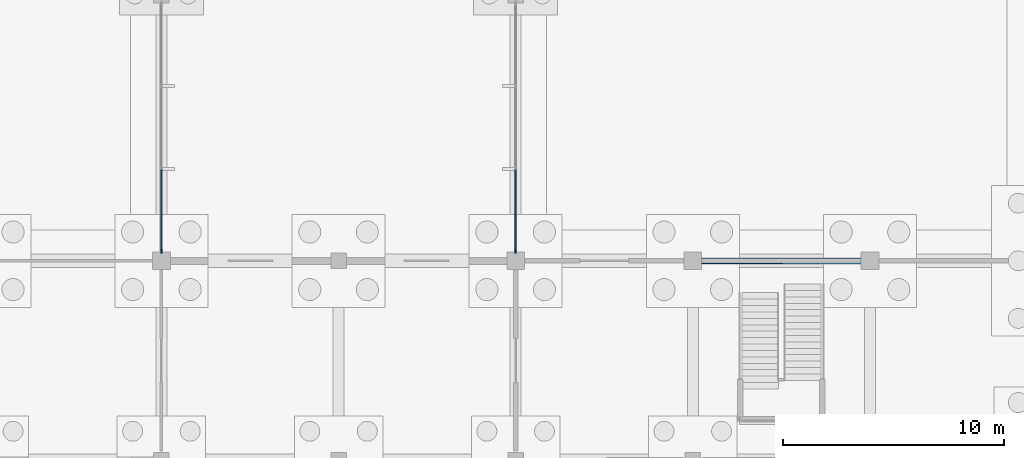
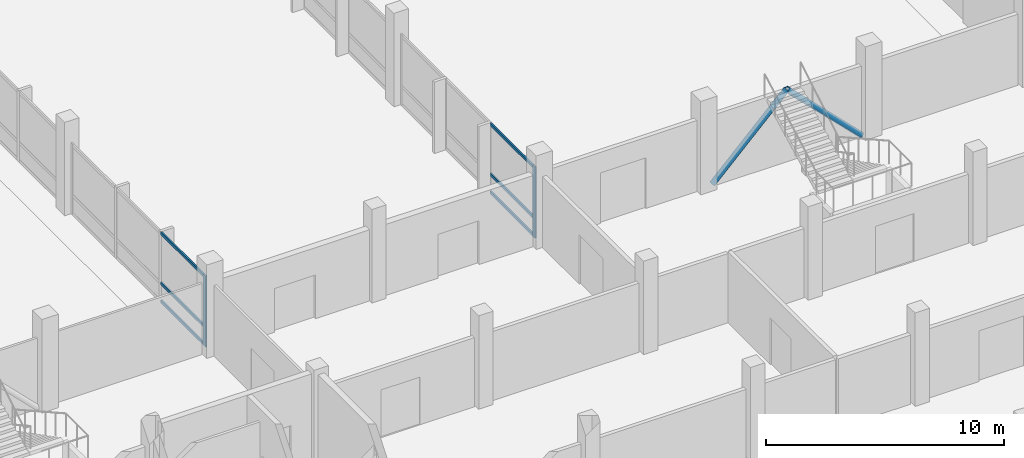
# One storey, part 22 of 72: 10 members, 2 elements without a shape of their own.
"""IFC4 building model written with IfcOpenShell, lengths in metres."""

from ifc_helpers import new_model, si_unit, direction, frame, origin, origin_2d, place, context, subcontext, project, spatial, rectangle, hollow_circle, extrude, material, material_profile, profile_set, type_object, element, aggregate, save


model = new_model("IFC4")

# Units and contexts
model_context = context("Model", 3, precision=1e-05, world=origin(), true_north=direction((0.0, 1.0)))
body_context = subcontext(model_context, "Body", "Model", "MODEL_VIEW")
ifc_project = project(units=[si_unit("LENGTHUNIT", "METRE"), si_unit("AREAUNIT", "SQUARE_METRE"), si_unit("VOLUMEUNIT", "CUBIC_METRE"), si_unit("PLANEANGLEUNIT", "RADIAN"), si_unit("MASSUNIT", "GRAM", prefix="KILO"), si_unit("THERMODYNAMICTEMPERATUREUNIT", "KELVIN"), si_unit("POWERUNIT", "WATT")], contexts=[model_context])

# Site, building, storey
site_placement = place(None, origin())
site = spatial("IfcSite", under=ifc_project, at=site_placement, CompositionType="ELEMENT")
building_placement = place(site_placement, origin())
building = spatial("IfcBuilding", under=site, at=building_placement, Name="Kronsvod Quay Wholesale Market", CompositionType="ELEMENT")
storey_placement = place(building_placement, origin())
storey = spatial("IfcBuildingStorey", under=building, at=storey_placement, Name="L00", CompositionType="ELEMENT", Elevation=0.0)

# Members
ifc_material_1 = material(Name="Steel S355", Category="steel")
ifc_material_profile_1 = material_profile(ifc_material_1, hollow_circle(Radius=0.136474609375, WallThickness=0.010009765625, at=origin_2d()), Name="CHS273x10")
ifc_profile_set_1 = profile_set([ifc_material_profile_1], Name="Steel S355")
member_type_1 = type_object("IfcMemberType", Name="Member_Brace273x10", PredefinedType="BRACE", material=ifc_profile_set_1)
for number, where, z_axis, x_axis, name in (
    (1, (112.389892578125, 54.0, 0.050048828125), (0.708111702507, 0.0, 0.706100429665), (0.0, 1.0, 0.0), "BRCG-L00-1120-540-A"),
    (2, (119.610107421875, 54.0, 0.050048828125), (-0.708111702507, 0.0, 0.706100429665), (0.0, -1.0, 0.0), "BRCG-L00-1120-540-B"),
):
    element("IfcMember", number, at=place(storey_placement, frame(where, z_axis=z_axis, x_axis=x_axis)), inside=storey, type_object=member_type_1, Name=name, PredefinedType="BRACE", context=body_context, shape_type="SweptSolid", body=[
        extrude(hollow_circle(Radius=0.136474609375, WallThickness=0.010009765625, at=origin_2d()), origin(), (0.0, 0.0, 1.0), 5.09814453125),
    ])

# Curtain wall, member
ifc_material_2 = material(Name="Thermally broken aluminium and triple low-E glazing", Category="aluminium")
curtain_wall_type = type_object("IfcCurtainWallType", Name="CW_Court120x35", PredefinedType="NOTDEFINED", material=ifc_material_2)
curtain_wall_1_placement = place(storey_placement, origin())
curtain_wall_1 = element("IfcCurtainWall", 3, at=curtain_wall_1_placement, inside=storey, type_object=curtain_wall_type, Name="CWGY-L00-880-540", PredefinedType="NOTDEFINED")
ifc_material_3 = material(Name="Anodised aluminium", Category="aluminium")
ifc_material_profile_2 = material_profile(ifc_material_3, rectangle(XDim=0.074951171875, YDim=0.199951171875, at=origin_2d()), Name="ALUM75x200")
ifc_profile_set_2 = profile_set([ifc_material_profile_2], Name="Anodised aluminium")
member_type_2 = type_object("IfcMemberType", Name="Mullion_ALU75x200", PredefinedType="MULLION", material=ifc_profile_set_2)
member_1_placement = place(storey_placement, frame((88.0, 54.4326171875, 0.0), z_axis=(0.0, 0.0, 1.0), x_axis=(1.0, 0.0, 0.0)))
member_1 = element("IfcMember", 4, at=member_1_placement, type_object=member_type_2, Name="CWGY-L00-880-540-M1", PredefinedType="MULLION", context=body_context, shape_type="SweptSolid", body=[
    extrude(rectangle(XDim=0.074951171875, YDim=0.199951171875, at=origin_2d()), origin(), (0.0, 0.0, 1.0), 3.64990234375),
])

curtain_wall_2_placement = place(storey_placement, origin())
curtain_wall_2 = element("IfcCurtainWall", 5, at=curtain_wall_2_placement, inside=storey, type_object=curtain_wall_type, Name="CWGY-L00-1040-540", PredefinedType="NOTDEFINED")
member_2_placement = place(storey_placement, frame((104.0, 54.4326171875, 0.0), z_axis=(0.0, 0.0, 1.0), x_axis=(1.0, 0.0, 0.0)))
member_2 = element("IfcMember", 6, at=member_2_placement, type_object=member_type_2, Name="CWGY-L00-1040-540-M4", PredefinedType="MULLION", context=body_context, shape_type="SweptSolid", body=[
    extrude(rectangle(XDim=0.074951171875, YDim=0.199951171875, at=origin_2d()), origin(), (0.0, 0.0, 1.0), 3.64990234375),
])

# Member
ifc_material_4 = material(Name="Anodised aluminium", Category="aluminium")
ifc_material_profile_3 = material_profile(ifc_material_4, rectangle(XDim=0.074951171875, YDim=0.14990234375, at=origin_2d()), Name="ALUT75x150")
ifc_profile_set_3 = profile_set([ifc_material_profile_3], Name="Anodised aluminium")
member_type_3 = type_object("IfcMemberType", Name="Transom_ALU75x150", PredefinedType="USERDEFINED", material=ifc_profile_set_3)
member_3_placement = place(storey_placement, frame((88.0, 54.469970703125, 0.074951171875), z_axis=(0.0, 1.0, 0.0), x_axis=(-1.0, 0.0, 0.0)))
member_3 = element("IfcMember", 7, at=member_3_placement, type_object=member_type_3, Name="CWGY-L00-880-540-T1B1", ObjectType="TRANSOM", PredefinedType="USERDEFINED", context=body_context, shape_type="SweptSolid", body=[
    extrude(rectangle(XDim=0.074951171875, YDim=0.14990234375, at=origin_2d()), origin(), (0.0, 0.0, 1.0), 3.640869140625),
])

member_4_placement = place(storey_placement, frame((88.0, 54.469970703125, 1.0), z_axis=(0.0, 1.0, 0.0), x_axis=(-1.0, 0.0, 0.0)))
member_4 = element("IfcMember", 8, at=member_4_placement, type_object=member_type_3, Name="CWGY-L00-880-540-T2B1", ObjectType="TRANSOM", PredefinedType="USERDEFINED", context=body_context, shape_type="SweptSolid", body=[
    extrude(rectangle(XDim=0.074951171875, YDim=0.14990234375, at=origin_2d()), origin(), (0.0, 0.0, 1.0), 3.640869140625),
])

member_5_placement = place(storey_placement, frame((88.0, 54.469970703125, 3.574951171875), z_axis=(0.0, 1.0, 0.0), x_axis=(-1.0, 0.0, 0.0)))
member_5 = element("IfcMember", 9, at=member_5_placement, type_object=member_type_3, Name="CWGY-L00-880-540-T3B1", ObjectType="TRANSOM", PredefinedType="USERDEFINED", context=body_context, shape_type="SweptSolid", body=[
    extrude(rectangle(XDim=0.074951171875, YDim=0.14990234375, at=origin_2d()), origin(), (0.0, 0.0, 1.0), 3.640869140625),
])

aggregate(curtain_wall_1, [member_1, member_3, member_4, member_5])

member_6_placement = place(storey_placement, frame((104.0, 58.11083984375, 0.074951171875), z_axis=(0.0, -1.0, 0.0), x_axis=(1.0, 0.0, 0.0)))
member_6 = element("IfcMember", 10, at=member_6_placement, type_object=member_type_3, Name="CWGY-L00-1040-540-T1B3", ObjectType="TRANSOM", PredefinedType="USERDEFINED", context=body_context, shape_type="SweptSolid", body=[
    extrude(rectangle(XDim=0.074951171875, YDim=0.14990234375, at=origin_2d()), origin(), (0.0, 0.0, 1.0), 3.640869140625),
])

member_7_placement = place(storey_placement, frame((104.0, 58.11083984375, 1.0), z_axis=(0.0, -1.0, 0.0), x_axis=(1.0, 0.0, 0.0)))
member_7 = element("IfcMember", 11, at=member_7_placement, type_object=member_type_3, Name="CWGY-L00-1040-540-T2B3", ObjectType="TRANSOM", PredefinedType="USERDEFINED", context=body_context, shape_type="SweptSolid", body=[
    extrude(rectangle(XDim=0.074951171875, YDim=0.14990234375, at=origin_2d()), origin(), (0.0, 0.0, 1.0), 3.640869140625),
])

member_8_placement = place(storey_placement, frame((104.0, 58.11083984375, 3.574951171875), z_axis=(0.0, -1.0, 0.0), x_axis=(1.0, 0.0, 0.0)))
member_8 = element("IfcMember", 12, at=member_8_placement, type_object=member_type_3, Name="CWGY-L00-1040-540-T3B3", ObjectType="TRANSOM", PredefinedType="USERDEFINED", context=body_context, shape_type="SweptSolid", body=[
    extrude(rectangle(XDim=0.074951171875, YDim=0.14990234375, at=origin_2d()), origin(), (0.0, 0.0, 1.0), 3.640869140625),
])

aggregate(curtain_wall_2, [member_2, member_6, member_7, member_8])

save(model, "model.ifc")
